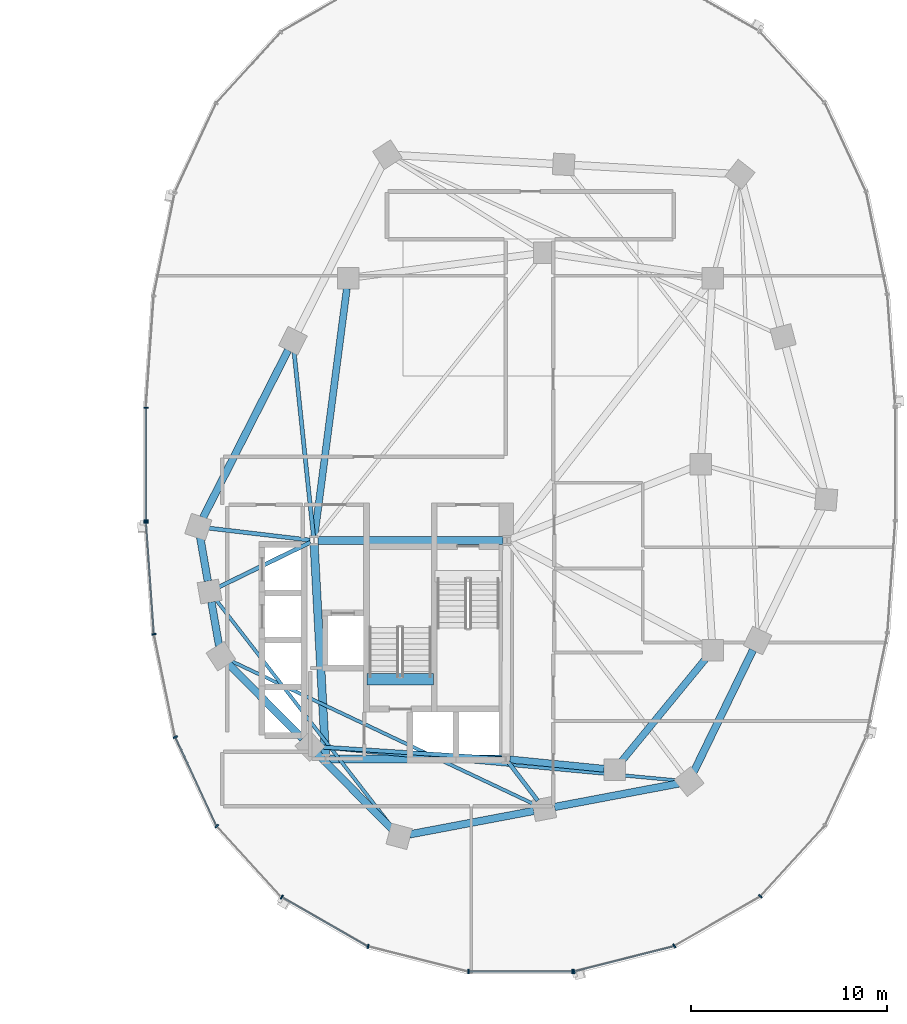
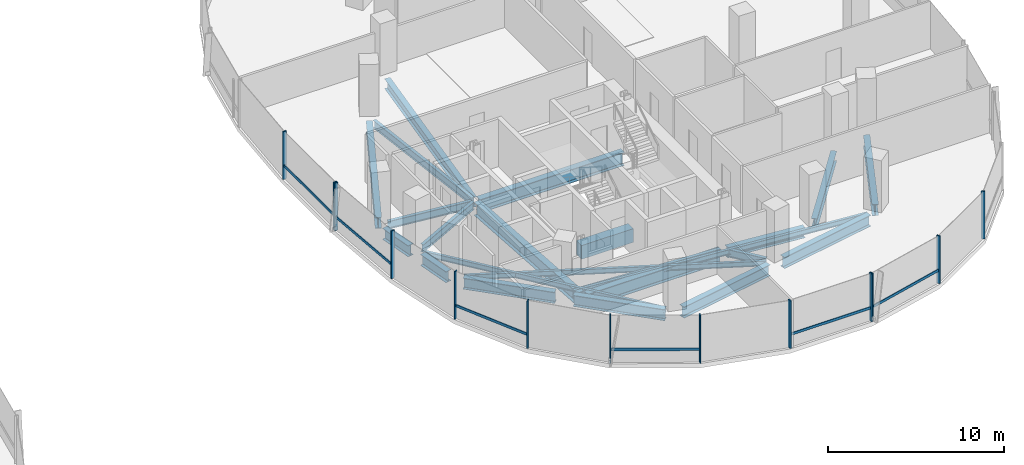
# One storey, part 5 of 21: 23 beams, 19 members, 3 elements without a shape of their own.
"""IFC4 building model written with IfcOpenShell, lengths in metres."""

from ifc_helpers import new_model, si_unit, direction, frame, origin, origin_2d, place, context, subcontext, project, spatial, rectangle, i_section, extrude, material, material_profile, profile_set, type_object, element, aggregate, save


model = new_model("IFC4")

# Units and contexts
model_context = context("Model", 3, precision=1e-05, world=origin(), true_north=direction((0.0, 1.0)))
body_context = subcontext(model_context, "Body", "Model", "MODEL_VIEW")
ifc_project = project(units=[si_unit("LENGTHUNIT", "METRE"), si_unit("AREAUNIT", "SQUARE_METRE"), si_unit("VOLUMEUNIT", "CUBIC_METRE"), si_unit("PLANEANGLEUNIT", "RADIAN"), si_unit("MASSUNIT", "GRAM", prefix="KILO"), si_unit("THERMODYNAMICTEMPERATUREUNIT", "KELVIN"), si_unit("POWERUNIT", "WATT")], contexts=[model_context])

# Site, building, storey
site_placement = place(None, origin())
site = spatial("IfcSite", under=ifc_project, at=site_placement, CompositionType="ELEMENT")
building_placement = place(site_placement, origin())
building = spatial("IfcBuilding", under=site, at=building_placement, Name="Cundina Bronze Exchange", CompositionType="ELEMENT")
storey_placement = place(building_placement, frame((0.0, 0.0, 92.60009765625)))
storey = spatial("IfcBuildingStorey", under=building, at=storey_placement, Name="L23", CompositionType="ELEMENT", Elevation=92.60009765625)

# Beams
ifc_material_1 = material(Name="Concrete C60/75", Category="concrete")
ifc_material_profile_1 = material_profile(ifc_material_1, rectangle(XDim=0.60009765625, YDim=0.949951171875, at=origin_2d()), Name="RC600X950", Category="concrete")
ifc_profile_set_1 = profile_set([ifc_material_profile_1], Name="Concrete C60/75")
beam_type_1 = type_object("IfcBeamType", Name="BM-COUP-RC950", PredefinedType="LINTEL", material=ifc_profile_set_1)
beam_1_placement = place(storey_placement, frame((24.159912109375, -10.97998046875, -0.47509765625), z_axis=(1.0, 0.0, 0.0), x_axis=(0.0, 1.0, 0.0)))
element("IfcBeam", 1, at=beam_1_placement, inside=storey, type_object=beam_type_1, Name="L23 Stair E2 Landing Header Beam", PredefinedType="LINTEL", context=body_context, shape_type="SweptSolid", body=[
    extrude(rectangle(XDim=0.60009765625, YDim=0.949951171875, at=origin_2d()), origin(), (0.0, 0.0, 1.0), 3.400146484375),
])
ifc_material_2 = material(Name="Steel ASTM A992 Grade 50", Category="steel")
ifc_material_profile_2 = material_profile(ifc_material_2, i_section(OverallWidth=0.2099609375, OverallDepth=0.532958984375, WebThickness=0.01025390625, FlangeThickness=0.015625, FilletRadius=0.013916015625, at=origin_2d()), Name="W21X62", Category="steel")
ifc_profile_set_2 = profile_set([ifc_material_profile_2], Name="Steel ASTM A992 Grade 50")
beam_type_2 = type_object("IfcBeamType", Name="BM-FLR-W21B", PredefinedType="BEAM", material=ifc_profile_set_2)
beam_2_placement = place(storey_placement, frame((21.247314453125, -3.8759765625, -0.566650390625), z_axis=(-0.993035701683, 0.117813815752, 0.0), x_axis=(-0.117813815752, -0.993035701683, 0.0)))
element("IfcBeam", 2, at=beam_2_placement, inside=storey, type_object=beam_type_2, Name="L23 Leg E Chordal Floor Beam 00", PredefinedType="BEAM", context=body_context, shape_type="SweptSolid", body=[
    extrude(i_section(OverallWidth=0.2099609375, OverallDepth=0.532958984375, WebThickness=0.01025390625, FlangeThickness=0.015625, FilletRadius=0.013916015625, at=origin_2d()), origin(), (0.0, 0.0, 1.0), 5.19921875),
])
beam_3_placement = place(storey_placement, frame((21.2666015625, -3.989501953125, -0.566650390625), z_axis=(-0.898607246385, -0.438753936443, 0.0), x_axis=(0.438753936443, -0.898607246385, 0.0)))
element("IfcBeam", 3, at=beam_3_placement, inside=storey, type_object=beam_type_2, Name="L23 Leg E Chordal Floor Beam 01", PredefinedType="BEAM", context=body_context, shape_type="SweptSolid", body=[
    extrude(i_section(OverallWidth=0.2099609375, OverallDepth=0.532958984375, WebThickness=0.01025390625, FlangeThickness=0.015625, FilletRadius=0.013916015625, at=origin_2d()), origin(), (0.0, 0.0, 1.0), 5.183837890625),
])
beam_4_placement = place(storey_placement, frame((31.04638671875, -15.036865234375, -0.566650390625), z_axis=(-0.997892901568, 0.064882640211, 0.0), x_axis=(-0.064882640211, -0.997892901568, 0.0)))
element("IfcBeam", 4, at=beam_4_placement, inside=storey, type_object=beam_type_2, Name="L23 Leg E Chordal Floor Beam 03", PredefinedType="BEAM", context=body_context, shape_type="SweptSolid", body=[
    extrude(i_section(OverallWidth=0.2099609375, OverallDepth=0.532958984375, WebThickness=0.01025390625, FlangeThickness=0.015625, FilletRadius=0.013916015625, at=origin_2d()), origin(), (0.0, 0.0, 1.0), 9.279052734375),
])
beam_5_placement = place(storey_placement, frame((31.373779296875, -15.2119140625, -0.566650390625), z_axis=(0.607490490457, -0.79432695032, 0.0), x_axis=(0.79432695032, 0.607490490457, 0.0)))
element("IfcBeam", 5, at=beam_5_placement, inside=storey, type_object=beam_type_2, Name="L23 Leg E Chordal Floor Beam 05", PredefinedType="BEAM", context=body_context, shape_type="SweptSolid", body=[
    extrude(i_section(OverallWidth=0.2099609375, OverallDepth=0.532958984375, WebThickness=0.01025390625, FlangeThickness=0.015625, FilletRadius=0.013916015625, at=origin_2d()), origin(), (0.0, 0.0, 1.0), 2.46826171875),
])
beam_6_placement = place(storey_placement, frame((21.4287109375, -3.697021484375, -0.566650390625), z_axis=(-0.104822364957, 0.994490961148, 0.0), x_axis=(-0.994490961148, -0.104822364957, 0.0)))
element("IfcBeam", 6, at=beam_6_placement, inside=storey, type_object=beam_type_2, Name="L23 Leg E Chordal Floor Beam 13", PredefinedType="BEAM", context=body_context, shape_type="SweptSolid", body=[
    extrude(i_section(OverallWidth=0.2099609375, OverallDepth=0.532958984375, WebThickness=0.01025390625, FlangeThickness=0.015625, FilletRadius=0.013916015625, at=origin_2d()), origin(), (0.0, 0.0, 1.0), 9.514404296875),
])
ifc_material_profile_3 = material_profile(ifc_material_2, i_section(OverallWidth=0.172119140625, OverallDepth=0.35791015625, WebThickness=0.0078125, FlangeThickness=0.01318359375, FilletRadius=0.010009765625, at=origin_2d()), Name="W14X38", Category="steel")
ifc_profile_set_3 = profile_set([ifc_material_profile_3], Name="Steel ASTM A992 Grade 50")
beam_type_3 = type_object("IfcBeamType", Name="BM-JST-W14", PredefinedType="JOIST", material=ifc_profile_set_3)
beam_7_placement = place(storey_placement, frame((16.454345703125, -6.92529296875, -0.47900390625), z_axis=(0.612065218806, -0.790807288742, 0.0), x_axis=(0.790807288742, 0.612065218806, 0.0)))
element("IfcBeam", 7, at=beam_7_placement, inside=storey, type_object=beam_type_3, Name="L23 Leg E Lobe Floor Joist 01-04", PredefinedType="JOIST", context=body_context, shape_type="SweptSolid", body=[
    extrude(i_section(OverallWidth=0.172119140625, OverallDepth=0.35791015625, WebThickness=0.0078125, FlangeThickness=0.01318359375, FilletRadius=0.010009765625, at=origin_2d()), origin(), (0.0, 0.0, 1.0), 14.73095703125),
])
beam_8_placement = place(storey_placement, frame((17.186279296875, -10.02978515625, -0.47900390625), z_axis=(0.904069270633, -0.427385954259, 0.0), x_axis=(0.427385954259, 0.904069270633, 0.0)))
element("IfcBeam", 8, at=beam_8_placement, inside=storey, type_object=beam_type_3, Name="L23 Leg E Lobe Floor Joist 02-05", PredefinedType="JOIST", context=body_context, shape_type="SweptSolid", body=[
    extrude(i_section(OverallWidth=0.172119140625, OverallDepth=0.35791015625, WebThickness=0.0078125, FlangeThickness=0.01318359375, FilletRadius=0.010009765625, at=origin_2d()), origin(), (0.0, 0.0, 1.0), 17.175048828125),
])
beam_9_placement = place(storey_placement, frame((21.78564453125, -14.44970703125, -0.47900390625), z_axis=(0.995700674022, -0.092629194921, 0.0), x_axis=(0.092629194921, 0.995700674022, 0.0)))
element("IfcBeam", 9, at=beam_9_placement, inside=storey, type_object=beam_type_3, Name="L23 Leg E Lobe Floor Joist 03-06", PredefinedType="JOIST", context=body_context, shape_type="SweptSolid", body=[
    extrude(i_section(OverallWidth=0.172119140625, OverallDepth=0.35791015625, WebThickness=0.0078125, FlangeThickness=0.01318359375, FilletRadius=0.010009765625, at=origin_2d()), origin(), (0.0, 0.0, 1.0), 18.357421875),
])
ifc_material_profile_4 = material_profile(ifc_material_2, i_section(OverallWidth=0.35498046875, OverallDepth=0.695068359375, WebThickness=0.015380859375, FlangeThickness=0.02490234375, FilletRadius=0.01806640625, at=origin_2d()), Name="W27X146", Category="steel")
ifc_profile_set_4 = profile_set([ifc_material_profile_4], Name="Steel ASTM A992 Grade 50")
beam_type_4 = type_object("IfcBeamType", Name="BM-RING-W27", PredefinedType="USERDEFINED", material=ifc_profile_set_4)
beam_10_placement = place(storey_placement, frame((31.452880859375, -15.070068359375, -0.647705078125), z_axis=(0.995126271817, -0.098608839051, 0.0), x_axis=(0.098608839051, 0.995126271817, 0.0)))
element("IfcBeam", 10, at=beam_10_placement, inside=storey, type_object=beam_type_4, Name="L23 E Inner Structural Ring Girder 01", ObjectType="GIRDER", PredefinedType="USERDEFINED", context=body_context, shape_type="SweptSolid", body=[
    extrude(i_section(OverallWidth=0.35498046875, OverallDepth=0.695068359375, WebThickness=0.015380859375, FlangeThickness=0.02490234375, FilletRadius=0.01806640625, at=origin_2d()), origin(), (0.0, 0.0, 1.0), 4.83544921875),
])
beam_11_placement = place(storey_placement, frame((37.14111328125, -15.183837890625, -0.647705078125), z_axis=(0.633926549035, 0.773393257295, 0.0), x_axis=(-0.773393257295, 0.633926549035, 0.0)))
element("IfcBeam", 11, at=beam_11_placement, inside=storey, type_object=beam_type_4, Name="L23 E Inner Structural Ring Girder 02", ObjectType="GIRDER", PredefinedType="USERDEFINED", context=body_context, shape_type="SweptSolid", body=[
    extrude(i_section(OverallWidth=0.35498046875, OverallDepth=0.695068359375, WebThickness=0.015380859375, FlangeThickness=0.02490234375, FilletRadius=0.01806640625, at=origin_2d()), origin(), (0.0, 0.0, 1.0), 6.811279296875),
])
beam_12_placement = place(storey_placement, frame((23.13037109375, 8.966552734375, -0.647705078125), z_axis=(-0.129507526533, -0.99157843894, 0.0), x_axis=(0.99157843894, -0.129507526533, 0.0)))
element("IfcBeam", 12, at=beam_12_placement, inside=storey, type_object=beam_type_4, Name="L23 E Inner Structural Ring Girder 07", ObjectType="GIRDER", PredefinedType="USERDEFINED", context=body_context, shape_type="SweptSolid", body=[
    extrude(i_section(OverallWidth=0.35498046875, OverallDepth=0.695068359375, WebThickness=0.015380859375, FlangeThickness=0.02490234375, FilletRadius=0.01806640625, at=origin_2d()), origin(), (0.0, 0.0, 1.0), 12.77197265625),
])
ifc_material_profile_5 = material_profile(ifc_material_2, i_section(OverallWidth=0.381103515625, OverallDepth=0.77294921875, WebThickness=0.0166015625, FlangeThickness=0.027099609375, FilletRadius=0.01904296875, at=origin_2d()), Name="W30X173", Category="steel")
ifc_profile_set_5 = profile_set([ifc_material_profile_5], Name="Steel ASTM A992 Grade 50")
beam_type_5 = type_object("IfcBeamType", Name="BM-RING-W30", PredefinedType="USERDEFINED", material=ifc_profile_set_5)
for number, where, z_axis, x_axis, name in (
    (13, (15.642333984375, -3.72998046875, -0.6865234375), (0.171690078326, -0.985151012284, 0.0), (0.985151012284, 0.171690078326, 0.0), "L23 E Perimeter Ring Girder 00"),
    (14, (16.21728515625, -7.030029296875, -0.6865234375), (0.171690078326, -0.985151012284, 0.0), (0.985151012284, 0.171690078326, 0.0), "L23 E Perimeter Ring Girder 01"),
):
    element("IfcBeam", number, at=place(storey_placement, frame(where, z_axis=z_axis, x_axis=x_axis)), inside=storey, type_object=beam_type_5, Name=name, ObjectType="GIRDER", PredefinedType="USERDEFINED", context=body_context, shape_type="SweptSolid", body=[
        extrude(i_section(OverallWidth=0.381103515625, OverallDepth=0.77294921875, WebThickness=0.0166015625, FlangeThickness=0.027099609375, FilletRadius=0.01904296875, at=origin_2d()), origin(), (0.0, 0.0, 1.0), 2.273681640625),
    ])
for number, where, z_axis, x_axis, name in (
    (15, (17.078369140625, -10.1826171875, -0.6865234375), (0.703226342126, -0.7109660412, 0.0), (0.7109660412, 0.703226342126, 0.0), "L23 E Perimeter Ring Girder 02"),
    (16, (21.62841796875, -14.782470703125, -0.6865234375), (0.703226342126, -0.7109660412, 0.0), (0.7109660412, 0.703226342126, 0.0), "L23 E Perimeter Ring Girder 03"),
):
    element("IfcBeam", number, at=place(storey_placement, frame(where, z_axis=z_axis, x_axis=x_axis)), inside=storey, type_object=beam_type_5, Name=name, ObjectType="GIRDER", PredefinedType="USERDEFINED", context=body_context, shape_type="SweptSolid", body=[
        extrude(i_section(OverallWidth=0.381103515625, OverallDepth=0.77294921875, WebThickness=0.0166015625, FlangeThickness=0.027099609375, FilletRadius=0.01904296875, at=origin_2d()), origin(), (0.0, 0.0, 1.0), 5.39404296875),
    ])
for number, where, z_axis, x_axis, name in (
    (17, (26.32861328125, -18.89990234375, -0.6865234375), (0.98257117919, 0.185886733861, 0.0), (-0.185886733861, 0.98257117919, 0.0), "L23 E Perimeter Ring Girder 04"),
    (18, (33.728515625, -17.5, -0.6865234375), (0.98257117919, 0.185886733861, 0.0), (-0.185886733861, 0.98257117919, 0.0), "L23 E Perimeter Ring Girder 05"),
):
    element("IfcBeam", number, at=place(storey_placement, frame(where, z_axis=z_axis, x_axis=x_axis)), inside=storey, type_object=beam_type_5, Name=name, ObjectType="GIRDER", PredefinedType="USERDEFINED", context=body_context, shape_type="SweptSolid", body=[
        extrude(i_section(OverallWidth=0.381103515625, OverallDepth=0.77294921875, WebThickness=0.0166015625, FlangeThickness=0.027099609375, FilletRadius=0.01904296875, at=origin_2d()), origin(), (0.0, 0.0, 1.0), 6.455322265625),
    ])
beam_13_placement = place(storey_placement, frame((40.835205078125, -15.716064453125, -0.6865234375), z_axis=(0.437193894283, 0.899367276924, 0.0), x_axis=(-0.899367276924, 0.437193894283, 0.0)))
element("IfcBeam", 19, at=beam_13_placement, inside=storey, type_object=beam_type_5, Name="L23 E Perimeter Ring Girder 06", ObjectType="GIRDER", PredefinedType="USERDEFINED", context=body_context, shape_type="SweptSolid", body=[
    extrude(i_section(OverallWidth=0.381103515625, OverallDepth=0.77294921875, WebThickness=0.0166015625, FlangeThickness=0.027099609375, FilletRadius=0.01904296875, at=origin_2d()), origin(), (0.0, 0.0, 1.0), 6.929443359375),
])
beam_14_placement = place(storey_placement, frame((20.13134765625, 5.8203125, -0.6865234375), z_axis=(-0.452832332744, -0.891595692241, 0.0), x_axis=(0.891595692241, -0.452832332744, 0.0)))
element("IfcBeam", 20, at=beam_14_placement, inside=storey, type_object=beam_type_5, Name="L23 E Perimeter Ring Girder 13", ObjectType="GIRDER", PredefinedType="USERDEFINED", context=body_context, shape_type="SweptSolid", body=[
    extrude(i_section(OverallWidth=0.381103515625, OverallDepth=0.77294921875, WebThickness=0.0166015625, FlangeThickness=0.027099609375, FilletRadius=0.01904296875, at=origin_2d()), origin(), (0.0, 0.0, 1.0), 9.578857421875),
])
ifc_material_profile_6 = material_profile(ifc_material_2, i_section(OverallWidth=0.41796875, OverallDepth=0.927001953125, WebThickness=0.019287109375, FlangeThickness=0.031982421875, FilletRadius=0.02392578125, at=origin_2d()), Name="W36X231", Category="steel")
ifc_profile_set_6 = profile_set([ifc_material_profile_6], Name="Steel ASTM A992 Grade 50")
beam_type_6 = type_object("IfcBeamType", Name="BM-WRN-W36B", PredefinedType="USERDEFINED", material=ifc_profile_set_6)
beam_15_placement = place(storey_placement, frame((31.095947265625, -3.89990234375, -0.763671875), z_axis=(-1.0, 0.0, 0.0), x_axis=(0.0, -1.0, 0.0)))
element("IfcBeam", 21, at=beam_15_placement, inside=storey, type_object=beam_type_6, Name="L23 E Core Perimeter Tie Girder 1", ObjectType="GIRDER", PredefinedType="USERDEFINED", context=body_context, shape_type="SweptSolid", body=[
    extrude(i_section(OverallWidth=0.41796875, OverallDepth=0.927001953125, WebThickness=0.019287109375, FlangeThickness=0.031982421875, FilletRadius=0.02392578125, at=origin_2d()), origin(), (0.0, 0.0, 1.0), 9.44189453125),
])
beam_16_placement = place(storey_placement, frame((21.4609375, -4.103759765625, -0.763671875), z_axis=(0.053739193498, -0.998555005537, 0.0), x_axis=(0.998555005537, 0.053739193498, 0.0)))
element("IfcBeam", 22, at=beam_16_placement, inside=storey, type_object=beam_type_6, Name="L23 E Core Perimeter Tie Girder 2", ObjectType="GIRDER", PredefinedType="USERDEFINED", context=body_context, shape_type="SweptSolid", body=[
    extrude(i_section(OverallWidth=0.41796875, OverallDepth=0.927001953125, WebThickness=0.019287109375, FlangeThickness=0.031982421875, FilletRadius=0.02392578125, at=origin_2d()), origin(), (0.0, 0.0, 1.0), 10.758056640625),
])
beam_17_placement = place(storey_placement, frame((22.25390625, -15.050048828125, -0.763671875), z_axis=(1.0, 0.0, 0.0), x_axis=(0.0, 1.0, 0.0)))
element("IfcBeam", 23, at=beam_17_placement, inside=storey, type_object=beam_type_6, Name="L23 E Core Perimeter Tie Girder 3", ObjectType="GIRDER", PredefinedType="USERDEFINED", context=body_context, shape_type="SweptSolid", body=[
    extrude(i_section(OverallWidth=0.41796875, OverallDepth=0.927001953125, WebThickness=0.019287109375, FlangeThickness=0.031982421875, FilletRadius=0.02392578125, at=origin_2d()), origin(), (0.0, 0.0, 1.0), 8.7919921875),
])

# Curtain wall, members
ifc_material_3 = material(Name="Anodised Bronze Aluminium 6063-T6", Category="aluminium")
curtain_wall_type = type_object("IfcCurtainWallType", Name="CWS-TRD-MID", PredefinedType="NOTDEFINED", material=ifc_material_3)
curtain_wall_1_placement = place(storey_placement, origin())
curtain_wall_1 = element("IfcCurtainWall", 24, at=curtain_wall_1_placement, inside=storey, type_object=curtain_wall_type, Name="L23 CW-03 Curtain Wall Run CWR-L23-E2", PredefinedType="NOTDEFINED")
ifc_material_profile_7 = material_profile(ifc_material_3, rectangle(XDim=0.074951171875, YDim=0.219970703125, at=origin_2d()), Name="AL75X220", Category="aluminium")
ifc_profile_set_7 = profile_set([ifc_material_profile_7], Name="Anodised Bronze Aluminium 6063-T6")
member_type_1 = type_object("IfcMemberType", Name="CWM-MUL-220", PredefinedType="MULLION", material=ifc_profile_set_7)
member_1_placement = place(storey_placement, frame((12.8720703125, 2.880615234375, 0.0), z_axis=(0.0, 0.0, 1.0), x_axis=(0.0, -1.0, 0.0)))
member_1 = element("IfcMember", 25, at=member_1_placement, type_object=member_type_1, Name="CW-03 Mullion 7", PredefinedType="MULLION", context=body_context, shape_type="SweptSolid", body=[
    extrude(rectangle(XDim=0.074951171875, YDim=0.219970703125, at=origin_2d()), origin(), (0.0, 0.0, 1.0), 3.2998046875),
])
member_2_placement = place(storey_placement, frame((12.8720703125, -2.880615234375, 0.0), z_axis=(0.0, 0.0, 1.0), x_axis=(0.0, -1.0, 0.0)))
member_2 = element("IfcMember", 26, at=member_2_placement, type_object=member_type_1, Name="CW-03 End Mullion", PredefinedType="MULLION", context=body_context, shape_type="SweptSolid", body=[
    extrude(rectangle(XDim=0.074951171875, YDim=0.219970703125, at=origin_2d()), origin(), (0.0, 0.0, 1.0), 3.2998046875),
])

curtain_wall_2_placement = place(storey_placement, origin())
curtain_wall_2 = element("IfcCurtainWall", 27, at=curtain_wall_2_placement, inside=storey, type_object=curtain_wall_type, Name="L23 CW-03 Curtain Wall Run CWR-L23-E3", PredefinedType="NOTDEFINED")
member_3_placement = place(storey_placement, frame((12.87548828125, -2.976318359375, 0.0), z_axis=(0.0, 0.0, 1.0), x_axis=(0.070278787473, -0.997527389113, 0.0)))
member_3 = element("IfcMember", 28, at=member_3_placement, type_object=member_type_1, Name="CW-03 Mullion 1", PredefinedType="MULLION", context=body_context, shape_type="SweptSolid", body=[
    extrude(rectangle(XDim=0.074951171875, YDim=0.219970703125, at=origin_2d()), origin(), (0.0, 0.0, 1.0), 3.2998046875),
])
member_4_placement = place(storey_placement, frame((13.282958984375, -8.67822265625, 0.0), z_axis=(0.0, 0.0, 1.0), x_axis=(0.201419845156, -0.979505000486, 0.0)))
member_4 = element("IfcMember", 29, at=member_4_placement, type_object=member_type_1, Name="CW-03 Mullion 2", PredefinedType="MULLION", context=body_context, shape_type="SweptSolid", body=[
    extrude(rectangle(XDim=0.074951171875, YDim=0.219970703125, at=origin_2d()), origin(), (0.0, 0.0, 1.0), 3.2998046875),
])
member_5_placement = place(storey_placement, frame((14.3720703125, -13.931884765625, 0.0), z_axis=(0.0, 0.0, 1.0), x_axis=(0.42087749791, -0.907117485088, 0.0)))
member_5 = element("IfcMember", 30, at=member_5_placement, type_object=member_type_1, Name="CW-03 Mullion 3", PredefinedType="MULLION", context=body_context, shape_type="SweptSolid", body=[
    extrude(rectangle(XDim=0.074951171875, YDim=0.219970703125, at=origin_2d()), origin(), (0.0, 0.0, 1.0), 3.2998046875),
])
member_6_placement = place(storey_placement, frame((16.491455078125, -18.47705078125, 0.0), z_axis=(0.0, 0.0, 1.0), x_axis=(0.674302387584, -0.738455340626, 0.0)))
member_6 = element("IfcMember", 31, at=member_6_placement, type_object=member_type_1, Name="CW-03 Mullion 4", PredefinedType="MULLION", context=body_context, shape_type="SweptSolid", body=[
    extrude(rectangle(XDim=0.074951171875, YDim=0.219970703125, at=origin_2d()), origin(), (0.0, 0.0, 1.0), 3.2998046875),
])
member_7_placement = place(storey_placement, frame((19.810302734375, -22.097412109375, 0.0), z_axis=(0.0, 0.0, 1.0), x_axis=(0.867070701164, -0.498185105339, 0.0)))
member_7 = element("IfcMember", 32, at=member_7_placement, type_object=member_type_1, Name="CW-03 Mullion 5", PredefinedType="MULLION", context=body_context, shape_type="SweptSolid", body=[
    extrude(rectangle(XDim=0.074951171875, YDim=0.219970703125, at=origin_2d()), origin(), (0.0, 0.0, 1.0), 3.2998046875),
])
member_8_placement = place(storey_placement, frame((24.21484375, -24.61669921875, 0.0), z_axis=(0.0, 0.0, 1.0), x_axis=(0.969488149345, -0.245138182011, 0.0)))
member_8 = element("IfcMember", 33, at=member_8_placement, type_object=member_type_1, Name="CW-03 Mullion 6", PredefinedType="MULLION", context=body_context, shape_type="SweptSolid", body=[
    extrude(rectangle(XDim=0.074951171875, YDim=0.219970703125, at=origin_2d()), origin(), (0.0, 0.0, 1.0), 3.2998046875),
])
member_9_placement = place(storey_placement, frame((29.345458984375, -25.905029296875, 0.0), z_axis=(0.0, 0.0, 1.0), x_axis=(1.0, 0.0, 0.0)))
member_9 = element("IfcMember", 34, at=member_9_placement, type_object=member_type_1, Name="CW-03 Mullion 7", PredefinedType="MULLION", context=body_context, shape_type="SweptSolid", body=[
    extrude(rectangle(XDim=0.074951171875, YDim=0.219970703125, at=origin_2d()), origin(), (0.0, 0.0, 1.0), 3.2998046875),
])
member_10_placement = place(storey_placement, frame((34.654541015625, -25.905029296875, 0.0), z_axis=(0.0, 0.0, 1.0), x_axis=(1.0, 0.0, 0.0)))
member_10 = element("IfcMember", 35, at=member_10_placement, type_object=member_type_1, Name="CW-03 End Mullion", PredefinedType="MULLION", context=body_context, shape_type="SweptSolid", body=[
    extrude(rectangle(XDim=0.074951171875, YDim=0.219970703125, at=origin_2d()), origin(), (0.0, 0.0, 1.0), 3.2998046875),
])

curtain_wall_3_placement = place(storey_placement, origin())
curtain_wall_3 = element("IfcCurtainWall", 36, at=curtain_wall_3_placement, inside=storey, type_object=curtain_wall_type, Name="L23 CW-03 Curtain Wall Run CWR-L23-E4", PredefinedType="NOTDEFINED")
member_11_placement = place(storey_placement, frame((34.72607421875, -25.89599609375, 0.0), z_axis=(0.0, 0.0, 1.0), x_axis=(0.969488149345, 0.245138182011, 0.0)))
member_11 = element("IfcMember", 37, at=member_11_placement, type_object=member_type_1, Name="CW-03 Mullion 1", PredefinedType="MULLION", context=body_context, shape_type="SweptSolid", body=[
    extrude(rectangle(XDim=0.074951171875, YDim=0.219970703125, at=origin_2d()), origin(), (0.0, 0.0, 1.0), 3.2998046875),
])
member_12_placement = place(storey_placement, frame((39.848876953125, -24.591064453125, 0.0), z_axis=(0.0, 0.0, 1.0), x_axis=(0.867070701164, 0.498185105339, 0.0)))
member_12 = element("IfcMember", 38, at=member_12_placement, type_object=member_type_1, Name="CW-03 Mullion 2", PredefinedType="MULLION", context=body_context, shape_type="SweptSolid", body=[
    extrude(rectangle(XDim=0.074951171875, YDim=0.219970703125, at=origin_2d()), origin(), (0.0, 0.0, 1.0), 3.2998046875),
])
member_13_placement = place(storey_placement, frame((44.239501953125, -22.0576171875, 0.0), z_axis=(0.0, 0.0, 1.0), x_axis=(0.674302387584, 0.738455340626, 0.0)))
member_13 = element("IfcMember", 39, at=member_13_placement, type_object=member_type_1, Name="CW-03 Mullion 3", PredefinedType="MULLION", context=body_context, shape_type="SweptSolid", body=[
    extrude(rectangle(XDim=0.074951171875, YDim=0.219970703125, at=origin_2d()), origin(), (0.0, 0.0, 1.0), 3.2998046875),
])

# Member
ifc_material_profile_8 = material_profile(ifc_material_3, rectangle(XDim=0.070068359375, YDim=0.179931640625, at=origin_2d()), Name="AL70X180", Category="aluminium")
ifc_profile_set_8 = profile_set([ifc_material_profile_8], Name="Anodised Bronze Aluminium 6063-T6")
member_type_2 = type_object("IfcMemberType", Name="CWM-TRN-180", PredefinedType="USERDEFINED", material=ifc_profile_set_8)
member_14_placement = place(storey_placement, frame((12.8720703125, 2.839111328125, 0.919921875), z_axis=(0.0, -1.0, 0.0), x_axis=(1.0, 0.0, 0.0)))
member_14 = element("IfcMember", 40, at=member_14_placement, type_object=member_type_2, Name="CW-03 Spandrel Transom 7", ObjectType="TRANSOM", PredefinedType="USERDEFINED", context=body_context, shape_type="SweptSolid", body=[
    extrude(rectangle(XDim=0.070068359375, YDim=0.179931640625, at=origin_2d()), origin(), (0.0, 0.0, 1.0), 5.67822265625),
])

aggregate(curtain_wall_1, [member_1, member_2, member_14])

member_15_placement = place(storey_placement, frame((12.87841796875, -3.017333984375, 0.919921875), z_axis=(0.070260714471, -0.997528662246, 0.0), x_axis=(0.997528662246, 0.070260714471, 0.0)))
member_15 = element("IfcMember", 41, at=member_15_placement, type_object=member_type_2, Name="CW-03 Spandrel Transom 1", ObjectType="TRANSOM", PredefinedType="USERDEFINED", context=body_context, shape_type="SweptSolid", body=[
    extrude(rectangle(XDim=0.070068359375, YDim=0.179931640625, at=origin_2d()), origin(), (0.0, 0.0, 1.0), 5.629150390625),
])

member_16_placement = place(storey_placement, frame((14.389404296875, -13.96923828125, 0.919921875), z_axis=(0.420811422796, -0.907148139195, 0.0), x_axis=(0.907148139195, 0.420811422796, 0.0)))
member_16 = element("IfcMember", 42, at=member_16_placement, type_object=member_type_2, Name="CW-03 Spandrel Transom 3", ObjectType="TRANSOM", PredefinedType="USERDEFINED", context=body_context, shape_type="SweptSolid", body=[
    extrude(rectangle(XDim=0.070068359375, YDim=0.179931640625, at=origin_2d()), origin(), (0.0, 0.0, 1.0), 4.95166015625),
])

member_17_placement = place(storey_placement, frame((19.845947265625, -22.117919921875, 0.919921875), z_axis=(0.867097475651, -0.498138502546, 0.0), x_axis=(0.498138502546, 0.867097475651, 0.0)))
member_17 = element("IfcMember", 43, at=member_17_placement, type_object=member_type_2, Name="CW-03 Spandrel Transom 5", ObjectType="TRANSOM", PredefinedType="USERDEFINED", context=body_context, shape_type="SweptSolid", body=[
    extrude(rectangle(XDim=0.070068359375, YDim=0.179931640625, at=origin_2d()), origin(), (0.0, 0.0, 1.0), 5.00634765625),
])

member_18_placement = place(storey_placement, frame((29.38671875, -25.905029296875, 0.919921875), z_axis=(1.0, 0.0, 0.0), x_axis=(0.0, 1.0, 0.0)))
member_18 = element("IfcMember", 44, at=member_18_placement, type_object=member_type_2, Name="CW-03 Spandrel Transom 7", ObjectType="TRANSOM", PredefinedType="USERDEFINED", context=body_context, shape_type="SweptSolid", body=[
    extrude(rectangle(XDim=0.070068359375, YDim=0.179931640625, at=origin_2d()), origin(), (0.0, 0.0, 1.0), 5.2265625),
])

aggregate(curtain_wall_2, [member_3, member_15, member_4, member_5, member_16, member_6, member_7, member_17, member_8, member_9, member_10, member_18])

member_19_placement = place(storey_placement, frame((34.76611328125, -25.885986328125, 0.919921875), z_axis=(0.969483968866, 0.245154714644, 0.0), x_axis=(-0.245154714644, 0.969483968866, 0.0)))
member_19 = element("IfcMember", 45, at=member_19_placement, type_object=member_type_2, Name="CW-03 Spandrel Transom 1", ObjectType="TRANSOM", PredefinedType="USERDEFINED", context=body_context, shape_type="SweptSolid", body=[
    extrude(rectangle(XDim=0.070068359375, YDim=0.179931640625, at=origin_2d()), origin(), (0.0, 0.0, 1.0), 5.21826171875),
])

aggregate(curtain_wall_3, [member_11, member_19, member_12, member_13])

save(model, "model.ifc")
